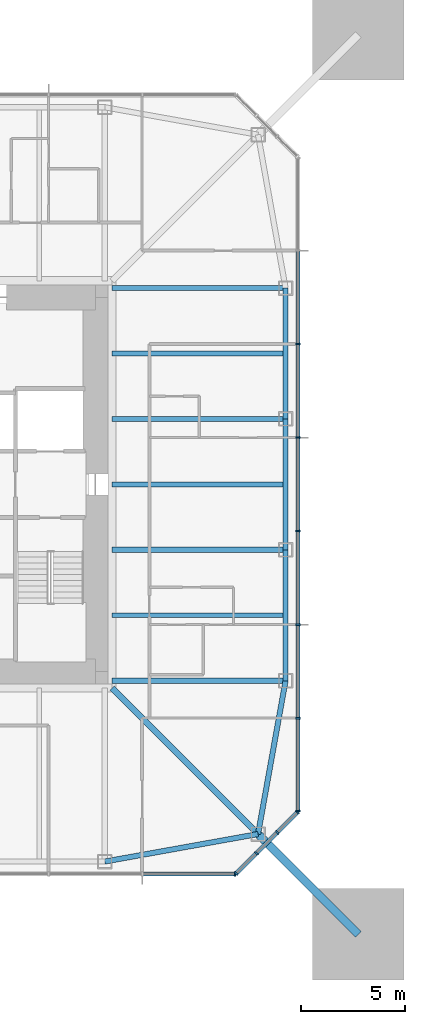
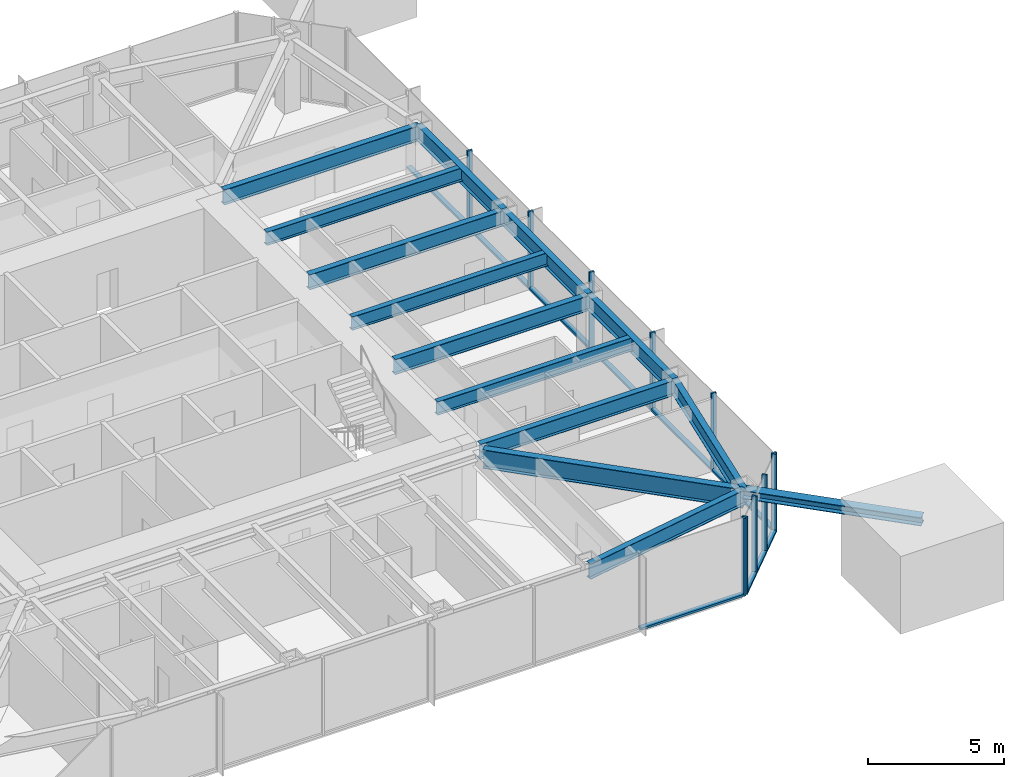
# One storey, part 3 of 11: 22 members, 13 beams, 3 elements without a shape of their own.
"""IFC4 building model written with IfcOpenShell, lengths in metres."""

from ifc_helpers import new_model, si_unit, direction, frame, origin, origin_2d, place, context, subcontext, project, spatial, rectangle, i_section, extrude, material, material_profile, profile_set, type_object, element, aggregate, save


model = new_model("IFC4")

# Units and contexts
model_context = context("Model", 3, precision=1e-05, world=origin(), true_north=direction((0.0, 1.0)))
body_context = subcontext(model_context, "Body", "Model", "MODEL_VIEW")
ifc_project = project(units=[si_unit("LENGTHUNIT", "METRE"), si_unit("AREAUNIT", "SQUARE_METRE"), si_unit("VOLUMEUNIT", "CUBIC_METRE"), si_unit("PLANEANGLEUNIT", "RADIAN"), si_unit("MASSUNIT", "GRAM", prefix="KILO")], contexts=[model_context])

# Site, building, storey
site_placement = place(None, origin())
site = spatial("IfcSite", under=ifc_project, at=site_placement, CompositionType="ELEMENT")
building_placement = place(site_placement, origin())
building = spatial("IfcBuilding", under=site, at=building_placement, Name="Iwan Alto Co-Living Towers", CompositionType="ELEMENT")
storey_placement = place(building_placement, frame((0.0, 0.0, 177.5)))
storey = spatial("IfcBuildingStorey", under=building, at=storey_placement, Name="L48", CompositionType="ELEMENT", Elevation=177.5)

# Curtain wall, member
ifc_material_1 = material(Name="Bronze aluminium unitised frame", Category="aluminium")
curtain_wall_type_1 = type_object("IfcCurtainWallType", Name="CURTAIN WALL CW-A", PredefinedType="NOTDEFINED", material=ifc_material_1)
curtain_wall_1_placement = place(storey_placement, origin())
curtain_wall_1 = element("IfcCurtainWall", 1, at=curtain_wall_1_placement, inside=storey, type_object=curtain_wall_type_1, Name="T1 curtain wall S L48", PredefinedType="NOTDEFINED")
ifc_material_2 = material(Name="Aluminium 6063-T6 bronze anodised", Category="aluminium")
ifc_material_profile_1 = material_profile(ifc_material_2, rectangle(XDim=0.199951171875, YDim=0.080078125, at=origin_2d()), Name="AL 80X200")
ifc_profile_set_1 = profile_set([ifc_material_profile_1], Name="Aluminium 6063-T6 bronze anodised")
member_type_1 = type_object("IfcMemberType", Name="CW-A MULLION 80X200", PredefinedType="MULLION", material=ifc_profile_set_1)
member_1_placement = place(storey_placement, frame((15.7099609375, -18.75, 0.0), z_axis=(0.0, 0.0, 1.0), x_axis=(0.0, 1.0, 0.0)))
member_1 = element("IfcMember", 2, at=member_1_placement, type_object=member_type_1, Name="CW-A mullion 8", PredefinedType="MULLION", context=body_context, shape_type="SweptSolid", body=[
    extrude(rectangle(XDim=0.199951171875, YDim=0.080078125, at=origin_2d()), origin(), (0.0, 0.0, 1.0), 3.5),
])

# Curtain wall, members
curtain_wall_2_placement = place(storey_placement, origin())
curtain_wall_2 = element("IfcCurtainWall", 3, at=curtain_wall_2_placement, inside=storey, type_object=curtain_wall_type_1, Name="T1 curtain wall E L48", PredefinedType="NOTDEFINED")
member_2_placement = place(storey_placement, frame((18.75, -15.7099609375, 0.0), z_axis=(0.0, 0.0, 1.0), x_axis=(-1.0, 0.0, 0.0)))
member_2 = element("IfcMember", 4, at=member_2_placement, type_object=member_type_1, Name="CW-A mullion 1", PredefinedType="MULLION", context=body_context, shape_type="SweptSolid", body=[
    extrude(rectangle(XDim=0.199951171875, YDim=0.080078125, at=origin_2d()), origin(), (0.0, 0.0, 1.0), 3.5),
])
member_3_placement = place(storey_placement, frame((18.75, -11.25, 0.0), z_axis=(0.0, 0.0, 1.0), x_axis=(-1.0, 0.0, 0.0)))
member_3 = element("IfcMember", 5, at=member_3_placement, type_object=member_type_1, Name="CW-A mullion 2", PredefinedType="MULLION", context=body_context, shape_type="SweptSolid", body=[
    extrude(rectangle(XDim=0.199951171875, YDim=0.080078125, at=origin_2d()), origin(), (0.0, 0.0, 1.0), 3.5),
])
member_4_placement = place(storey_placement, frame((18.75, -6.75, 0.0), z_axis=(0.0, 0.0, 1.0), x_axis=(-1.0, 0.0, 0.0)))
member_4 = element("IfcMember", 6, at=member_4_placement, type_object=member_type_1, Name="CW-A mullion 3", PredefinedType="MULLION", context=body_context, shape_type="SweptSolid", body=[
    extrude(rectangle(XDim=0.199951171875, YDim=0.080078125, at=origin_2d()), origin(), (0.0, 0.0, 1.0), 3.5),
])
member_5_placement = place(storey_placement, frame((18.75, -2.25, 0.0), z_axis=(0.0, 0.0, 1.0), x_axis=(-1.0, 0.0, 0.0)))
member_5 = element("IfcMember", 7, at=member_5_placement, type_object=member_type_1, Name="CW-A mullion 4", PredefinedType="MULLION", context=body_context, shape_type="SweptSolid", body=[
    extrude(rectangle(XDim=0.199951171875, YDim=0.080078125, at=origin_2d()), origin(), (0.0, 0.0, 1.0), 3.5),
])
member_6_placement = place(storey_placement, frame((18.75, 2.25, 0.0), z_axis=(0.0, 0.0, 1.0), x_axis=(-1.0, 0.0, 0.0)))
member_6 = element("IfcMember", 8, at=member_6_placement, type_object=member_type_1, Name="CW-A mullion 5", PredefinedType="MULLION", context=body_context, shape_type="SweptSolid", body=[
    extrude(rectangle(XDim=0.199951171875, YDim=0.080078125, at=origin_2d()), origin(), (0.0, 0.0, 1.0), 3.5),
])
member_7_placement = place(storey_placement, frame((18.75, 6.75, 0.0), z_axis=(0.0, 0.0, 1.0), x_axis=(-1.0, 0.0, 0.0)))
member_7 = element("IfcMember", 9, at=member_7_placement, type_object=member_type_1, Name="CW-A mullion 6", PredefinedType="MULLION", context=body_context, shape_type="SweptSolid", body=[
    extrude(rectangle(XDim=0.199951171875, YDim=0.080078125, at=origin_2d()), origin(), (0.0, 0.0, 1.0), 3.5),
])

# Member
ifc_material_3 = material(Name="Aluminium 6063-T6 bronze anodised", Category="aluminium")
ifc_material_profile_2 = material_profile(ifc_material_3, rectangle(XDim=0.199951171875, YDim=0.10009765625, at=origin_2d()), Name="AL 200X100")
ifc_profile_set_2 = profile_set([ifc_material_profile_2], Name="Aluminium 6063-T6 bronze anodised")
member_type_2 = type_object("IfcMemberType", Name="CW-A TRANSOM 200X100", PredefinedType="USERDEFINED", material=ifc_profile_set_2)
member_8_placement = place(storey_placement, frame((11.2900390625, -18.75, 0.050048828125), z_axis=(1.0, 0.0, 0.0), x_axis=(0.0, 1.0, 0.0)))
member_8 = element("IfcMember", 10, at=member_8_placement, type_object=member_type_2, Name="CW-A transom 7.1", ObjectType="TRANSOM", PredefinedType="USERDEFINED", context=body_context, shape_type="SweptSolid", body=[
    extrude(rectangle(XDim=0.199951171875, YDim=0.10009765625, at=origin_2d()), origin(), (0.0, 0.0, 1.0), 4.3798828125),
])

aggregate(curtain_wall_1, [member_1, member_8])

member_9_placement = place(storey_placement, frame((18.75, -15.669921875, 0.050048828125), z_axis=(0.0, 1.0, 0.0), x_axis=(-1.0, 0.0, 0.0)))
member_9 = element("IfcMember", 11, at=member_9_placement, type_object=member_type_2, Name="CW-A transom 1.1", ObjectType="TRANSOM", PredefinedType="USERDEFINED", context=body_context, shape_type="SweptSolid", body=[
    extrude(rectangle(XDim=0.199951171875, YDim=0.10009765625, at=origin_2d()), origin(), (0.0, 0.0, 1.0), 4.3798828125),
])

member_10_placement = place(storey_placement, frame((18.75, -11.2099609375, 0.050048828125), z_axis=(0.0, 1.0, 0.0), x_axis=(-1.0, 0.0, 0.0)))
member_10 = element("IfcMember", 12, at=member_10_placement, type_object=member_type_2, Name="CW-A transom 2.1", ObjectType="TRANSOM", PredefinedType="USERDEFINED", context=body_context, shape_type="SweptSolid", body=[
    extrude(rectangle(XDim=0.199951171875, YDim=0.10009765625, at=origin_2d()), origin(), (0.0, 0.0, 1.0), 4.419921875),
])

member_11_placement = place(storey_placement, frame((18.75, -6.7099609375, 0.050048828125), z_axis=(0.0, 1.0, 0.0), x_axis=(-1.0, 0.0, 0.0)))
member_11 = element("IfcMember", 13, at=member_11_placement, type_object=member_type_2, Name="CW-A transom 3.1", ObjectType="TRANSOM", PredefinedType="USERDEFINED", context=body_context, shape_type="SweptSolid", body=[
    extrude(rectangle(XDim=0.199951171875, YDim=0.10009765625, at=origin_2d()), origin(), (0.0, 0.0, 1.0), 4.419921875),
])

member_12_placement = place(storey_placement, frame((18.75, -2.2099609375, 0.050048828125), z_axis=(0.0, 1.0, 0.0), x_axis=(-1.0, 0.0, 0.0)))
member_12 = element("IfcMember", 14, at=member_12_placement, type_object=member_type_2, Name="CW-A transom 4.1", ObjectType="TRANSOM", PredefinedType="USERDEFINED", context=body_context, shape_type="SweptSolid", body=[
    extrude(rectangle(XDim=0.199951171875, YDim=0.10009765625, at=origin_2d()), origin(), (0.0, 0.0, 1.0), 4.419921875),
])

member_13_placement = place(storey_placement, frame((18.75, 2.2900390625, 0.050048828125), z_axis=(0.0, 1.0, 0.0), x_axis=(-1.0, 0.0, 0.0)))
member_13 = element("IfcMember", 15, at=member_13_placement, type_object=member_type_2, Name="CW-A transom 5.1", ObjectType="TRANSOM", PredefinedType="USERDEFINED", context=body_context, shape_type="SweptSolid", body=[
    extrude(rectangle(XDim=0.199951171875, YDim=0.10009765625, at=origin_2d()), origin(), (0.0, 0.0, 1.0), 4.419921875),
])

member_14_placement = place(storey_placement, frame((18.75, 6.7900390625, 0.050048828125), z_axis=(0.0, 1.0, 0.0), x_axis=(-1.0, 0.0, 0.0)))
member_14 = element("IfcMember", 16, at=member_14_placement, type_object=member_type_2, Name="CW-A transom 6.1", ObjectType="TRANSOM", PredefinedType="USERDEFINED", context=body_context, shape_type="SweptSolid", body=[
    extrude(rectangle(XDim=0.199951171875, YDim=0.10009765625, at=origin_2d()), origin(), (0.0, 0.0, 1.0), 4.419921875),
])

aggregate(curtain_wall_2, [member_2, member_3, member_4, member_5, member_6, member_7, member_9, member_10, member_11, member_12, member_13, member_14])

# Curtain wall, members
ifc_material_4 = material(Name="Bronze aluminium unitised frame", Category="aluminium")
curtain_wall_type_2 = type_object("IfcCurtainWallType", Name="CURTAIN WALL CW-B", PredefinedType="NOTDEFINED", material=ifc_material_4)
curtain_wall_3_placement = place(storey_placement, origin())
curtain_wall_3 = element("IfcCurtainWall", 17, at=curtain_wall_3_placement, inside=storey, type_object=curtain_wall_type_2, Name="T1 chamfer curtain wall SE L48", PredefinedType="NOTDEFINED")
ifc_material_5 = material(Name="Aluminium 6063-T6 bronze anodised", Category="aluminium")
ifc_material_profile_3 = material_profile(ifc_material_5, rectangle(XDim=0.199951171875, YDim=0.080078125, at=origin_2d()), Name="AL 80X200")
ifc_profile_set_3 = profile_set([ifc_material_profile_3], Name="Aluminium 6063-T6 bronze anodised")
member_type_3 = type_object("IfcMemberType", Name="CW-B MULLION 80X200", PredefinedType="MULLION", material=ifc_profile_set_3)
member_15_placement = place(storey_placement, frame((15.7783203125, -18.7216796875, 0.0), z_axis=(0.0, 0.0, 1.0), x_axis=(-0.707106781187, 0.707106781187, 0.0)))
member_15 = element("IfcMember", 18, at=member_15_placement, type_object=member_type_3, Name="CW-B mullion 1", PredefinedType="MULLION", context=body_context, shape_type="SweptSolid", body=[
    extrude(rectangle(XDim=0.199951171875, YDim=0.080078125, at=origin_2d()), origin(), (0.0, 0.0, 1.0), 3.5),
])
member_16_placement = place(storey_placement, frame((16.75, -17.75, 0.0), z_axis=(0.0, 0.0, 1.0), x_axis=(-0.707106781187, 0.707106781187, 0.0)))
member_16 = element("IfcMember", 19, at=member_16_placement, type_object=member_type_3, Name="CW-B mullion 2", PredefinedType="MULLION", context=body_context, shape_type="SweptSolid", body=[
    extrude(rectangle(XDim=0.199951171875, YDim=0.080078125, at=origin_2d()), origin(), (0.0, 0.0, 1.0), 3.5),
])
member_17_placement = place(storey_placement, frame((17.75, -16.75, 0.0), z_axis=(0.0, 0.0, 1.0), x_axis=(-0.707106781187, 0.707106781187, 0.0)))
member_17 = element("IfcMember", 20, at=member_17_placement, type_object=member_type_3, Name="CW-B mullion 3", PredefinedType="MULLION", context=body_context, shape_type="SweptSolid", body=[
    extrude(rectangle(XDim=0.199951171875, YDim=0.080078125, at=origin_2d()), origin(), (0.0, 0.0, 1.0), 3.5),
])
member_18_placement = place(storey_placement, frame((18.7216796875, -15.7783203125, 0.0), z_axis=(0.0, 0.0, 1.0), x_axis=(-0.707106781187, 0.707106781187, 0.0)))
member_18 = element("IfcMember", 21, at=member_18_placement, type_object=member_type_3, Name="CW-B mullion 4", PredefinedType="MULLION", context=body_context, shape_type="SweptSolid", body=[
    extrude(rectangle(XDim=0.199951171875, YDim=0.080078125, at=origin_2d()), origin(), (0.0, 0.0, 1.0), 3.5),
])
ifc_material_6 = material(Name="Aluminium 6063-T6 bronze anodised", Category="aluminium")
ifc_material_profile_4 = material_profile(ifc_material_6, rectangle(XDim=0.199951171875, YDim=0.10009765625, at=origin_2d()), Name="AL 200X100")
ifc_profile_set_4 = profile_set([ifc_material_profile_4], Name="Aluminium 6063-T6 bronze anodised")
member_type_4 = type_object("IfcMemberType", Name="CW-B TRANSOM 200X100", PredefinedType="USERDEFINED", material=ifc_profile_set_4)
member_19_placement = place(storey_placement, frame((15.806640625, -18.693359375, 0.050048828125), z_axis=(0.707106781187, 0.707106781187, 0.0), x_axis=(-0.707106781187, 0.707106781187, 0.0)))
member_19 = element("IfcMember", 22, at=member_19_placement, type_object=member_type_4, Name="CW-B transom 1.1", ObjectType="TRANSOM", PredefinedType="USERDEFINED", context=body_context, shape_type="SweptSolid", body=[
    extrude(rectangle(XDim=0.199951171875, YDim=0.10009765625, at=origin_2d()), origin(), (0.0, 0.0, 1.0), 1.2939453125),
])
member_20_placement = place(storey_placement, frame((16.7783203125, -17.7216796875, 0.050048828125), z_axis=(0.707106781187, 0.707106781187, 0.0), x_axis=(-0.707106781187, 0.707106781187, 0.0)))
member_20 = element("IfcMember", 23, at=member_20_placement, type_object=member_type_4, Name="CW-B transom 2.1", ObjectType="TRANSOM", PredefinedType="USERDEFINED", context=body_context, shape_type="SweptSolid", body=[
    extrude(rectangle(XDim=0.199951171875, YDim=0.10009765625, at=origin_2d()), origin(), (0.0, 0.0, 1.0), 1.334228515625),
])
member_21_placement = place(storey_placement, frame((17.7783203125, -16.7216796875, 0.050048828125), z_axis=(0.707106781187, 0.707106781187, 0.0), x_axis=(-0.707106781187, 0.707106781187, 0.0)))
member_21 = element("IfcMember", 24, at=member_21_placement, type_object=member_type_4, Name="CW-B transom 3.1", ObjectType="TRANSOM", PredefinedType="USERDEFINED", context=body_context, shape_type="SweptSolid", body=[
    extrude(rectangle(XDim=0.199951171875, YDim=0.10009765625, at=origin_2d()), origin(), (0.0, 0.0, 1.0), 1.2939453125),
])
aggregate(curtain_wall_3, [member_15, member_16, member_17, member_18, member_19, member_20, member_21])

# Beams
ifc_material_7 = material(Name="Steel ASTM A992 Gr 50", Category="steel")
ifc_material_profile_5 = material_profile(ifc_material_7, i_section(OverallWidth=0.2919921875, OverallDepth=0.8408203125, WebThickness=0.0146484375, FlangeThickness=0.021728515625, at=origin_2d()), Name="W33X130")
ifc_profile_set_5 = profile_set([ifc_material_profile_5], Name="Steel ASTM A992 Gr 50")
beam_type_1 = type_object("IfcBeamType", Name="T1 CORNER GIRDER W33X130", PredefinedType="BEAM", material=ifc_profile_set_5)
beam_1_placement = place(storey_placement, frame((16.82568359375, -16.82568359375, 2.849609375), z_axis=(-0.707106781187, 0.707106781187, 0.0), x_axis=(-0.707106781187, -0.707106781187, 0.0)))
element("IfcBeam", 25, at=beam_1_placement, inside=storey, type_object=beam_type_1, Name="T1 corner girder CSE L49", PredefinedType="BEAM", context=body_context, shape_type="SweptSolid", body=[
    extrude(i_section(OverallWidth=0.2919921875, OverallDepth=0.8408203125, WebThickness=0.0146484375, FlangeThickness=0.021728515625, at=origin_2d()), origin(), (0.0, 0.0, 1.0), 9.936767578125),
])
ifc_material_8 = material(Name="Steel ASTM A992 Gr 50", Category="steel")
ifc_material_profile_6 = material_profile(ifc_material_8, i_section(OverallWidth=0.25390625, OverallDepth=0.683349609375, WebThickness=0.012451171875, FlangeThickness=0.018798828125, at=origin_2d()), Name="W27X94")
ifc_profile_set_6 = profile_set([ifc_material_profile_6], Name="Steel ASTM A992 Gr 50")
beam_type_2 = type_object("IfcBeamType", Name="T1 EDGE BEAM W27X94", PredefinedType="BEAM", material=ifc_profile_set_6)
for number, where, z_axis, x_axis, name in (
    (26, (9.449951171875, -18.14990234375, 2.928466796875), (0.98426263553, 0.17671181143, 0.0), (-0.17671181143, 0.98426263553, 0.0), "T1 edge beam S4 L49"),
    (27, (16.82568359375, -16.82568359375, 2.928466796875), (0.17671181143, 0.98426263553, 0.0), (-0.98426263553, 0.17671181143, 0.0), "T1 edge beam CSE L49"),
):
    element("IfcBeam", number, at=place(storey_placement, frame(where, z_axis=z_axis, x_axis=x_axis)), inside=storey, type_object=beam_type_2, Name=name, PredefinedType="BEAM", context=body_context, shape_type="SweptSolid", body=[
        extrude(i_section(OverallWidth=0.25390625, OverallDepth=0.683349609375, WebThickness=0.012451171875, FlangeThickness=0.018798828125, at=origin_2d()), origin(), (0.0, 0.0, 1.0), 7.49365234375),
    ])
beam_2_placement = place(storey_placement, frame((18.14990234375, -9.449951171875, 2.928466796875), z_axis=(0.0, 1.0, 0.0), x_axis=(-1.0, 0.0, 0.0)))
element("IfcBeam", 28, at=beam_2_placement, inside=storey, type_object=beam_type_2, Name="T1 edge beam E1 L49", PredefinedType="BEAM", context=body_context, shape_type="SweptSolid", body=[
    extrude(i_section(OverallWidth=0.25390625, OverallDepth=0.683349609375, WebThickness=0.012451171875, FlangeThickness=0.018798828125, at=origin_2d()), origin(), (0.0, 0.0, 1.0), 6.300048828125),
])
beam_3_placement = place(storey_placement, frame((18.14990234375, -3.14990234375, 2.928466796875), z_axis=(0.0, 1.0, 0.0), x_axis=(-1.0, 0.0, 0.0)))
element("IfcBeam", 29, at=beam_3_placement, inside=storey, type_object=beam_type_2, Name="T1 edge beam E2 L49", PredefinedType="BEAM", context=body_context, shape_type="SweptSolid", body=[
    extrude(i_section(OverallWidth=0.25390625, OverallDepth=0.683349609375, WebThickness=0.012451171875, FlangeThickness=0.018798828125, at=origin_2d()), origin(), (0.0, 0.0, 1.0), 6.2998046875),
])
beam_4_placement = place(storey_placement, frame((18.14990234375, 3.14990234375, 2.928466796875), z_axis=(0.0, 1.0, 0.0), x_axis=(-1.0, 0.0, 0.0)))
element("IfcBeam", 30, at=beam_4_placement, inside=storey, type_object=beam_type_2, Name="T1 edge beam E3 L49", PredefinedType="BEAM", context=body_context, shape_type="SweptSolid", body=[
    extrude(i_section(OverallWidth=0.25390625, OverallDepth=0.683349609375, WebThickness=0.012451171875, FlangeThickness=0.018798828125, at=origin_2d()), origin(), (0.0, 0.0, 1.0), 6.300048828125),
])

# Member
ifc_material_9 = material(Name="Steel ASTM A992 Gr 50", Category="steel")
ifc_material_profile_7 = material_profile(ifc_material_9, i_section(OverallWidth=0.393798828125, OverallDepth=0.3759765625, WebThickness=0.017333984375, FlangeThickness=0.027587890625, at=origin_2d()), Name="W14X145")
ifc_profile_set_7 = profile_set([ifc_material_profile_7], Name="Steel ASTM A992 Gr 50")
member_type_5 = type_object("IfcMemberType", Name="T1 MEGA COLUMN FLOOR TIE W14X145", PredefinedType="STRUT", material=ifc_profile_set_7)
member_22_placement = place(storey_placement, frame((21.64990234375, -21.64990234375, 3.08203125), z_axis=(-0.707106781187, 0.707106781187, 0.0), x_axis=(-0.707106781187, -0.707106781187, 0.0)))
element("IfcMember", 31, at=member_22_placement, inside=storey, type_object=member_type_5, Name="T1 mega column floor tie SE L49", PredefinedType="STRUT", context=body_context, shape_type="SweptSolid", body=[
    extrude(i_section(OverallWidth=0.393798828125, OverallDepth=0.3759765625, WebThickness=0.017333984375, FlangeThickness=0.027587890625, at=origin_2d()), origin(), (0.0, 0.0, 1.0), 6.822509765625),
])

# Beams
ifc_material_10 = material(Name="Steel ASTM A992 Gr 50", Category="steel")
ifc_material_profile_8 = material_profile(ifc_material_10, i_section(OverallWidth=0.25390625, OverallDepth=0.683349609375, WebThickness=0.012451171875, FlangeThickness=0.018798828125, at=origin_2d()), Name="W27X94")
ifc_profile_set_8 = profile_set([ifc_material_profile_8], Name="Steel ASTM A992 Gr 50")
beam_type_3 = type_object("IfcBeamType", Name="T1 RADIAL BEAM W27X94", PredefinedType="BEAM", material=ifc_profile_set_8)
for number, where, z_axis, x_axis, name in (
    (32, (18.14990234375, -9.449951171875, 2.928466796875), (-1.0, 0.0, 0.0), (0.0, -1.0, 0.0), "T1 radial beam E1 L49"),
    (33, (18.14990234375, -3.14990234375, 2.928466796875), (-1.0, 0.0, 0.0), (0.0, -1.0, 0.0), "T1 radial beam E2 L49"),
    (34, (18.14990234375, 3.14990234375, 2.928466796875), (-1.0, 0.0, 0.0), (0.0, -1.0, 0.0), "T1 radial beam E3 L49"),
    (35, (18.14990234375, 9.449951171875, 2.928466796875), (-1.0, 0.0, 0.0), (0.0, -1.0, 0.0), "T1 radial beam E4 L49"),
):
    element("IfcBeam", number, at=place(storey_placement, frame(where, z_axis=z_axis, x_axis=x_axis)), inside=storey, type_object=beam_type_3, Name=name, PredefinedType="BEAM", context=body_context, shape_type="SweptSolid", body=[
        extrude(i_section(OverallWidth=0.25390625, OverallDepth=0.683349609375, WebThickness=0.012451171875, FlangeThickness=0.018798828125, at=origin_2d()), origin(), (0.0, 0.0, 1.0), 8.3505859375),
    ])
ifc_material_11 = material(Name="Steel ASTM A992 Gr 50", Category="steel")
ifc_material_profile_9 = material_profile(ifc_material_11, i_section(OverallWidth=0.228271484375, OverallDepth=0.607177734375, WebThickness=0.01123046875, FlangeThickness=0.017333984375, at=origin_2d()), Name="W24X76")
ifc_profile_set_9 = profile_set([ifc_material_profile_9], Name="Steel ASTM A992 Gr 50")
beam_type_4 = type_object("IfcBeamType", Name="T1 SECONDARY BEAM W24X76", PredefinedType="JOIST", material=ifc_profile_set_9)
for number, where, z_axis, x_axis, name in (
    (36, (18.14990234375, -6.300048828125, 2.966552734375), (-1.0, 0.0, 0.0), (0.0, -1.0, 0.0), "T1 secondary beam E1 L49"),
    (37, (18.14990234375, 0.0, 2.966552734375), (-1.0, 0.0, 0.0), (0.0, -1.0, 0.0), "T1 secondary beam E2 L49"),
    (38, (18.14990234375, 6.300048828125, 2.966552734375), (-1.0, 0.0, 0.0), (0.0, -1.0, 0.0), "T1 secondary beam E3 L49"),
):
    element("IfcBeam", number, at=place(storey_placement, frame(where, z_axis=z_axis, x_axis=x_axis)), inside=storey, type_object=beam_type_4, Name=name, PredefinedType="JOIST", context=body_context, shape_type="SweptSolid", body=[
        extrude(i_section(OverallWidth=0.228271484375, OverallDepth=0.607177734375, WebThickness=0.01123046875, FlangeThickness=0.017333984375, at=origin_2d()), origin(), (0.0, 0.0, 1.0), 8.3505859375),
    ])

save(model, "model.ifc")
